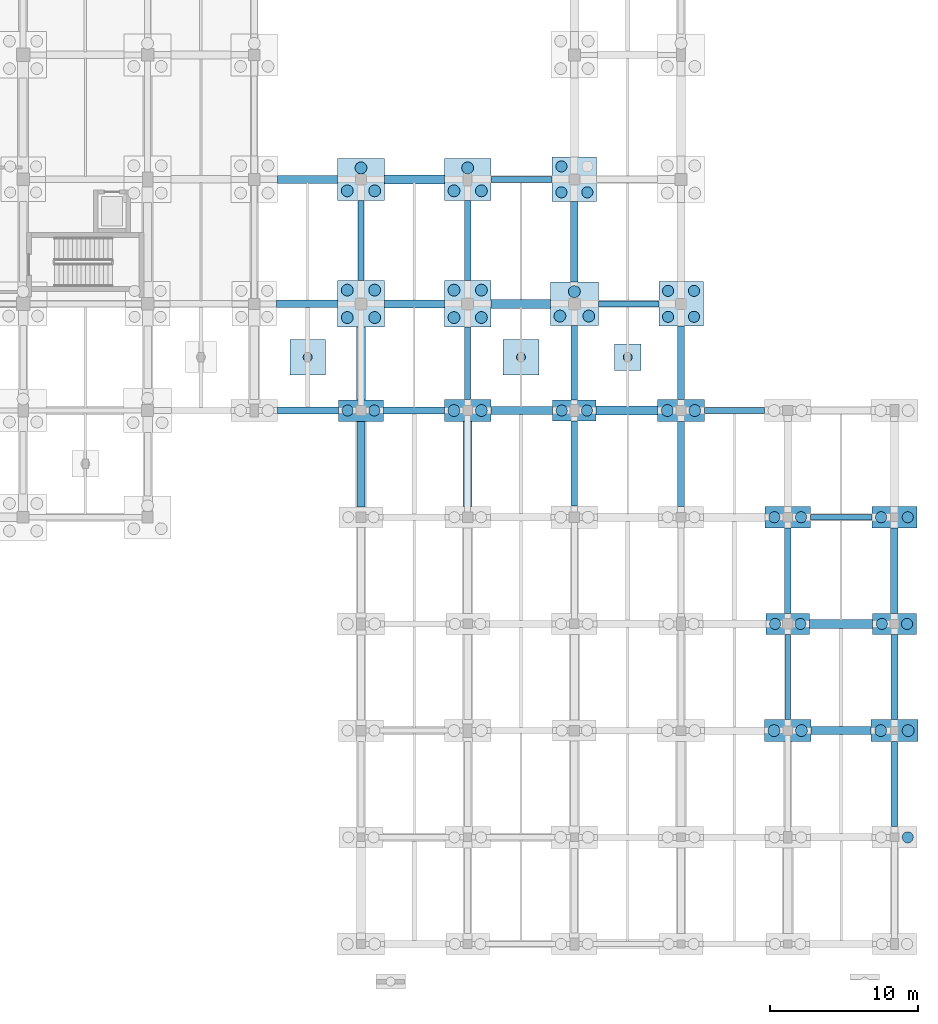
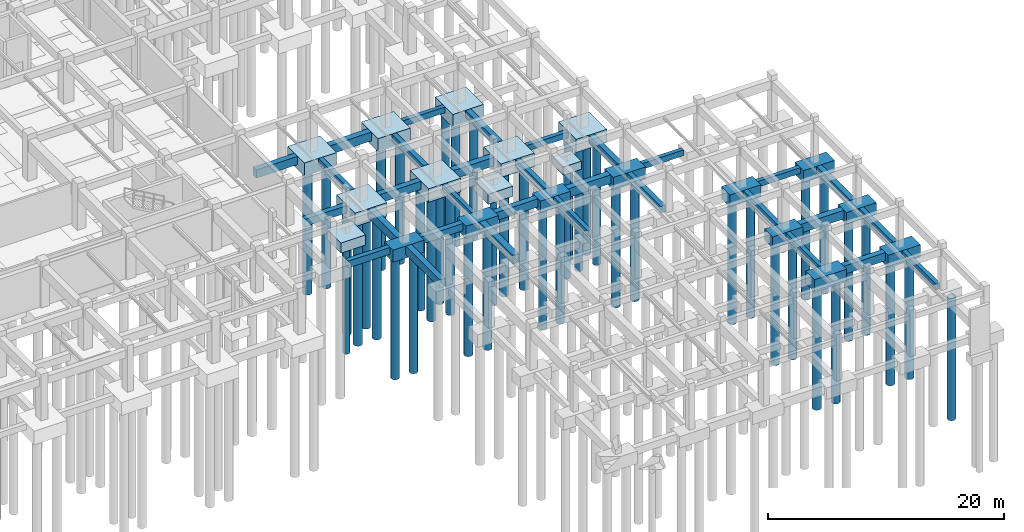
# One storey, part 13 of 44: 51 footings, 48 piles.
"""IFC4 building model written with IfcOpenShell, lengths in metres."""

from ifc_helpers import new_model, si_unit, direction, frame, origin, origin_2d, place, context, subcontext, project, spatial, rectangle, circle, extrude, material, material_profile, profile_set, type_object, element, save


model = new_model("IFC4")

# Units and contexts
model_context = context("Model", 3, precision=1e-05, world=origin(), true_north=direction((0.0, 1.0)))
body_context = subcontext(model_context, "Body", "Model", "MODEL_VIEW")
ifc_project = project(units=[si_unit("LENGTHUNIT", "METRE"), si_unit("AREAUNIT", "SQUARE_METRE"), si_unit("VOLUMEUNIT", "CUBIC_METRE"), si_unit("PLANEANGLEUNIT", "RADIAN"), si_unit("MASSUNIT", "GRAM", prefix="KILO")], contexts=[model_context])

# Site, building, storey
site_placement = place(None, origin())
site = spatial("IfcSite", under=ifc_project, at=site_placement, CompositionType="ELEMENT")
building_placement = place(site_placement, origin())
building = spatial("IfcBuilding", under=site, at=building_placement, Name="Korsvaeld Concert Hall", CompositionType="ELEMENT")
storey_placement = place(building_placement, frame((0.0, 0.0, -4.800048828125)))
storey = spatial("IfcBuildingStorey", under=building, at=storey_placement, Name="B1", CompositionType="ELEMENT", Elevation=-4.800048828125)

# Footings
ifc_material = material(Name="Concrete C35/45", Category="concrete")
ifc_material_profile_1 = material_profile(ifc_material, rectangle(XDim=0.39990234375, YDim=0.60009765625, at=origin_2d()), Name="GTB 400x600")
ifc_profile_set_1 = profile_set([ifc_material_profile_1], Name="Concrete C35/45")
footing_type_1 = type_object("IfcFootingType", Name="GTB-400x600", PredefinedType="FOOTING_BEAM", material=ifc_profile_set_1)
footing_1_placement = place(storey_placement, frame((162.324951171875, 28.800048828125, -0.300048828125), z_axis=(1.0, 0.0, 0.0), x_axis=(0.0, 1.0, 0.0)))
element("IfcFooting", 1, at=footing_1_placement, inside=storey, type_object=footing_type_1, Name="Ground tie beam 22-23/E", PredefinedType="FOOTING_BEAM", context=body_context, shape_type="SweptSolid", body=[
    extrude(rectangle(XDim=0.39990234375, YDim=0.60009765625, at=origin_2d()), origin(), (0.0, 0.0, 1.0), 4.150146484375),
])
footing_2_placement = place(storey_placement, frame((155.175048828125, 36.0, -0.300048828125), z_axis=(1.0, 0.0, 0.0), x_axis=(0.0, 1.0, 0.0)))
element("IfcFooting", 2, at=footing_2_placement, inside=storey, type_object=footing_type_1, Name="Ground tie beam 21-22/F", PredefinedType="FOOTING_BEAM", context=body_context, shape_type="SweptSolid", body=[
    extrude(rectangle(XDim=0.39990234375, YDim=0.60009765625, at=origin_2d()), origin(), (0.0, 0.0, 1.0), 4.050048828125),
])
footing_3_placement = place(storey_placement, frame((148.02490234375, 43.199951171875, -0.300048828125), z_axis=(1.0, 0.0, 0.0), x_axis=(0.0, 1.0, 0.0)))
element("IfcFooting", 3, at=footing_3_placement, inside=storey, type_object=footing_type_1, Name="Ground tie beam 20-21/G", PredefinedType="FOOTING_BEAM", context=body_context, shape_type="SweptSolid", body=[
    extrude(rectangle(XDim=0.39990234375, YDim=0.60009765625, at=origin_2d()), origin(), (0.0, 0.0, 1.0), 4.0751953125),
])
footing_4_placement = place(storey_placement, frame((140.77490234375, 51.60009765625, -0.300048828125), z_axis=(1.0, 0.0, 0.0), x_axis=(0.0, 1.0, 0.0)))
element("IfcFooting", 4, at=footing_4_placement, inside=storey, type_object=footing_type_1, Name="Ground tie beam 19-20/H", PredefinedType="FOOTING_BEAM", context=body_context, shape_type="SweptSolid", body=[
    extrude(rectangle(XDim=0.39990234375, YDim=0.60009765625, at=origin_2d()), origin(), (0.0, 0.0, 1.0), 4.125),
])
footing_5_placement = place(storey_placement, frame((132.0, 44.77490234375, -0.300048828125), z_axis=(0.0, 1.0, 0.0), x_axis=(-1.0, 0.0, 0.0)))
element("IfcFooting", 5, at=footing_5_placement, inside=storey, type_object=footing_type_1, Name="Ground tie beam 18/G-H", PredefinedType="FOOTING_BEAM", context=body_context, shape_type="SweptSolid", body=[
    extrude(rectangle(XDim=0.39990234375, YDim=0.60009765625, at=origin_2d()), origin(), (0.0, 0.0, 1.0), 5.400146484375),
])
footing_6_placement = place(storey_placement, frame((139.199951171875, 36.75, -0.300048828125), z_axis=(0.0, 1.0, 0.0), x_axis=(-1.0, 0.0, 0.0)))
element("IfcFooting", 6, at=footing_6_placement, inside=storey, type_object=footing_type_1, Name="Ground tie beam 19/F-G", PredefinedType="FOOTING_BEAM", context=body_context, shape_type="SweptSolid", body=[
    extrude(rectangle(XDim=0.39990234375, YDim=0.60009765625, at=origin_2d()), origin(), (0.0, 0.0, 1.0), 4.875),
])
for number, where, z_axis, x_axis, name in (
    (7, (146.39990234375, 29.550048828125, -0.300048828125), (0.0, 1.0, 0.0), (-1.0, 0.0, 0.0), "Ground tie beam 20/E-F"),
    (8, (160.800048828125, 15.14990234375, -0.300048828125), (0.0, 1.0, 0.0), (-1.0, 0.0, 0.0), "Ground tie beam 22/C-D"),
):
    element("IfcFooting", number, at=place(storey_placement, frame(where, z_axis=z_axis, x_axis=x_axis)), inside=storey, type_object=footing_type_1, Name=name, PredefinedType="FOOTING_BEAM", context=body_context, shape_type="SweptSolid", body=[
        extrude(rectangle(XDim=0.39990234375, YDim=0.60009765625, at=origin_2d()), origin(), (0.0, 0.0, 1.0), 5.75),
    ])
footing_7_placement = place(storey_placement, frame((168.0, 7.925048828125, -0.300048828125), z_axis=(0.0, 1.0, 0.0), x_axis=(-1.0, 0.0, 0.0)))
element("IfcFooting", 9, at=footing_7_placement, inside=storey, type_object=footing_type_1, Name="Ground tie beam 23/B-C", PredefinedType="FOOTING_BEAM", context=body_context, shape_type="SweptSolid", body=[
    extrude(rectangle(XDim=0.39990234375, YDim=0.60009765625, at=origin_2d()), origin(), (0.0, 0.0, 1.0), 5.724853515625),
])
ifc_material_profile_2 = material_profile(ifc_material, rectangle(XDim=0.449951171875, YDim=0.699951171875, at=origin_2d()), Name="GTB 450x700")
ifc_profile_set_2 = profile_set([ifc_material_profile_2], Name="Concrete C35/45")
footing_type_2 = type_object("IfcFootingType", Name="GTB-450x700", PredefinedType="FOOTING_BEAM", material=ifc_profile_set_2)
footing_8_placement = place(storey_placement, frame((126.375, 36.0, -0.349853515625), z_axis=(1.0, 0.0, 0.0), x_axis=(0.0, 1.0, 0.0)))
element("IfcFooting", 10, at=footing_8_placement, inside=storey, type_object=footing_type_2, Name="Ground tie beam 17-18/F", PredefinedType="FOOTING_BEAM", context=body_context, shape_type="SweptSolid", body=[
    extrude(rectangle(XDim=0.449951171875, YDim=0.699951171875, at=origin_2d()), origin(), (0.0, 0.0, 1.0), 4.10009765625),
])
footing_9_placement = place(storey_placement, frame((139.199951171875, 44.77490234375, -0.349853515625), z_axis=(0.0, 1.0, 0.0), x_axis=(-1.0, 0.0, 0.0)))
element("IfcFooting", 11, at=footing_9_placement, inside=storey, type_object=footing_type_2, Name="Ground tie beam 19/G-H", PredefinedType="FOOTING_BEAM", context=body_context, shape_type="SweptSolid", body=[
    extrude(rectangle(XDim=0.449951171875, YDim=0.699951171875, at=origin_2d()), origin(), (0.0, 0.0, 1.0), 5.400146484375),
])
footing_10_placement = place(storey_placement, frame((146.39990234375, 36.699951171875, -0.349853515625), z_axis=(0.0, 1.0, 0.0), x_axis=(-1.0, 0.0, 0.0)))
element("IfcFooting", 12, at=footing_10_placement, inside=storey, type_object=footing_type_2, Name="Ground tie beam 20/F-G", PredefinedType="FOOTING_BEAM", context=body_context, shape_type="SweptSolid", body=[
    extrude(rectangle(XDim=0.449951171875, YDim=0.699951171875, at=origin_2d()), origin(), (0.0, 0.0, 1.0), 5.025146484375),
])
footing_11_placement = place(storey_placement, frame((153.60009765625, 29.52490234375, -0.349853515625), z_axis=(0.0, 1.0, 0.0), x_axis=(-1.0, 0.0, 0.0)))
element("IfcFooting", 13, at=footing_11_placement, inside=storey, type_object=footing_type_2, Name="Ground tie beam 21/E-F", PredefinedType="FOOTING_BEAM", context=body_context, shape_type="SweptSolid", body=[
    extrude(rectangle(XDim=0.449951171875, YDim=0.699951171875, at=origin_2d()), origin(), (0.0, 0.0, 1.0), 5.72509765625),
])
footing_12_placement = place(storey_placement, frame((160.800048828125, 22.300048828125, -0.349853515625), z_axis=(0.0, 1.0, 0.0), x_axis=(-1.0, 0.0, 0.0)))
element("IfcFooting", 14, at=footing_12_placement, inside=storey, type_object=footing_type_2, Name="Ground tie beam 22/D-E", PredefinedType="FOOTING_BEAM", context=body_context, shape_type="SweptSolid", body=[
    extrude(rectangle(XDim=0.449951171875, YDim=0.699951171875, at=origin_2d()), origin(), (0.0, 0.0, 1.0), 5.77490234375),
])
footing_13_placement = place(storey_placement, frame((168.0, 15.14990234375, -0.349853515625), z_axis=(0.0, 1.0, 0.0), x_axis=(-1.0, 0.0, 0.0)))
element("IfcFooting", 15, at=footing_13_placement, inside=storey, type_object=footing_type_2, Name="Ground tie beam 23/C-D", PredefinedType="FOOTING_BEAM", context=body_context, shape_type="SweptSolid", body=[
    extrude(rectangle(XDim=0.449951171875, YDim=0.699951171875, at=origin_2d()), origin(), (0.0, 0.0, 1.0), 5.75),
])
ifc_material_profile_3 = material_profile(ifc_material, rectangle(XDim=0.5, YDim=0.75, at=origin_2d()), Name="GTB 500x750")
ifc_profile_set_3 = profile_set([ifc_material_profile_3], Name="Concrete C35/45")
footing_type_3 = type_object("IfcFootingType", Name="GTB-500x750", PredefinedType="FOOTING_BEAM", material=ifc_profile_set_3)
footing_14_placement = place(storey_placement, frame((133.52490234375, 36.0, -0.375), z_axis=(1.0, 0.0, 0.0), x_axis=(0.0, 1.0, 0.0)))
element("IfcFooting", 16, at=footing_14_placement, inside=storey, type_object=footing_type_3, Name="Ground tie beam 18-19/F", PredefinedType="FOOTING_BEAM", context=body_context, shape_type="SweptSolid", body=[
    extrude(rectangle(XDim=0.5, YDim=0.75, at=origin_2d()), origin(), (0.0, 0.0, 1.0), 4.10009765625),
])
footing_15_placement = place(storey_placement, frame((126.300048828125, 43.199951171875, -0.375), z_axis=(1.0, 0.0, 0.0), x_axis=(0.0, 1.0, 0.0)))
element("IfcFooting", 17, at=footing_15_placement, inside=storey, type_object=footing_type_3, Name="Ground tie beam 17-18/G", PredefinedType="FOOTING_BEAM", context=body_context, shape_type="SweptSolid", body=[
    extrude(rectangle(XDim=0.5, YDim=0.75, at=origin_2d()), origin(), (0.0, 0.0, 1.0), 4.125),
])
footing_16_placement = place(storey_placement, frame((146.39990234375, 44.675048828125, -0.375), z_axis=(0.0, 1.0, 0.0), x_axis=(-1.0, 0.0, 0.0)))
element("IfcFooting", 18, at=footing_16_placement, inside=storey, type_object=footing_type_3, Name="Ground tie beam 20/G-H", PredefinedType="FOOTING_BEAM", context=body_context, shape_type="SweptSolid", body=[
    extrude(rectangle(XDim=0.5, YDim=0.75, at=origin_2d()), origin(), (0.0, 0.0, 1.0), 5.425048828125),
])
footing_17_placement = place(storey_placement, frame((153.60009765625, 36.75, -0.375), z_axis=(0.0, 1.0, 0.0), x_axis=(-1.0, 0.0, 0.0)))
element("IfcFooting", 19, at=footing_17_placement, inside=storey, type_object=footing_type_3, Name="Ground tie beam 21/F-G", PredefinedType="FOOTING_BEAM", context=body_context, shape_type="SweptSolid", body=[
    extrude(rectangle(XDim=0.5, YDim=0.75, at=origin_2d()), origin(), (0.0, 0.0, 1.0), 4.949951171875),
])
footing_18_placement = place(storey_placement, frame((168.0, 22.300048828125, -0.375), z_axis=(0.0, 1.0, 0.0), x_axis=(-1.0, 0.0, 0.0)))
element("IfcFooting", 20, at=footing_18_placement, inside=storey, type_object=footing_type_3, Name="Ground tie beam 23/D-E", PredefinedType="FOOTING_BEAM", context=body_context, shape_type="SweptSolid", body=[
    extrude(rectangle(XDim=0.5, YDim=0.75, at=origin_2d()), origin(), (0.0, 0.0, 1.0), 5.77490234375),
])
ifc_material_profile_4 = material_profile(ifc_material, rectangle(XDim=0.550048828125, YDim=0.85009765625, at=origin_2d()), Name="GTB 550x850")
ifc_profile_set_4 = profile_set([ifc_material_profile_4], Name="Concrete C35/45")
footing_type_4 = type_object("IfcFootingType", Name="GTB-550x850", PredefinedType="FOOTING_BEAM", material=ifc_profile_set_4)
footing_19_placement = place(storey_placement, frame((162.375, 14.39990234375, -0.425048828125), z_axis=(1.0, 0.0, 0.0), x_axis=(0.0, 1.0, 0.0)))
element("IfcFooting", 21, at=footing_19_placement, inside=storey, type_object=footing_type_4, Name="Ground tie beam 22-23/C", PredefinedType="FOOTING_BEAM", context=body_context, shape_type="SweptSolid", body=[
    extrude(rectangle(XDim=0.550048828125, YDim=0.85009765625, at=origin_2d()), origin(), (0.0, 0.0, 1.0), 4.050048828125),
])
footing_20_placement = place(storey_placement, frame((140.77490234375, 36.0, -0.425048828125), z_axis=(1.0, 0.0, 0.0), x_axis=(0.0, 1.0, 0.0)))
element("IfcFooting", 22, at=footing_20_placement, inside=storey, type_object=footing_type_4, Name="Ground tie beam 19-20/F", PredefinedType="FOOTING_BEAM", context=body_context, shape_type="SweptSolid", body=[
    extrude(rectangle(XDim=0.550048828125, YDim=0.85009765625, at=origin_2d()), origin(), (0.0, 0.0, 1.0), 4.150146484375),
])
for number, where, z_axis, x_axis, name in (
    (23, (133.574951171875, 43.199951171875, -0.425048828125), (1.0, 0.0, 0.0), (0.0, 1.0, 0.0), "Ground tie beam 18-19/G"),
    (24, (126.375, 51.60009765625, -0.425048828125), (1.0, 0.0, 0.0), (0.0, 1.0, 0.0), "Ground tie beam 17-18/H"),
):
    element("IfcFooting", number, at=place(storey_placement, frame(where, z_axis=z_axis, x_axis=x_axis)), inside=storey, type_object=footing_type_4, Name=name, PredefinedType="FOOTING_BEAM", context=body_context, shape_type="SweptSolid", body=[
        extrude(rectangle(XDim=0.550048828125, YDim=0.85009765625, at=origin_2d()), origin(), (0.0, 0.0, 1.0), 4.050048828125),
    ])
footing_21_placement = place(storey_placement, frame((132.0, 29.5, -0.425048828125), z_axis=(0.0, 1.0, 0.0), x_axis=(-1.0, 0.0, 0.0)))
element("IfcFooting", 25, at=footing_21_placement, inside=storey, type_object=footing_type_4, Name="Ground tie beam 18/E-F", PredefinedType="FOOTING_BEAM", context=body_context, shape_type="SweptSolid", body=[
    extrude(rectangle(XDim=0.550048828125, YDim=0.85009765625, at=origin_2d()), origin(), (0.0, 0.0, 1.0), 5.77490234375),
])
ifc_material_profile_5 = material_profile(ifc_material, rectangle(XDim=0.60009765625, YDim=0.89990234375, at=origin_2d()), Name="GTB 600x900")
ifc_profile_set_5 = profile_set([ifc_material_profile_5], Name="Concrete C35/45")
footing_type_5 = type_object("IfcFootingType", Name="GTB-600x900", PredefinedType="FOOTING_BEAM", material=ifc_profile_set_5)
footing_22_placement = place(storey_placement, frame((162.27490234375, 21.60009765625, -0.449951171875), z_axis=(1.0, 0.0, 0.0), x_axis=(0.0, 1.0, 0.0)))
element("IfcFooting", 26, at=footing_22_placement, inside=storey, type_object=footing_type_5, Name="Ground tie beam 22-23/D", PredefinedType="FOOTING_BEAM", context=body_context, shape_type="SweptSolid", body=[
    extrude(rectangle(XDim=0.60009765625, YDim=0.89990234375, at=origin_2d()), origin(), (0.0, 0.0, 1.0), 4.25),
])
footing_23_placement = place(storey_placement, frame((147.875, 36.0, -0.449951171875), z_axis=(1.0, 0.0, 0.0), x_axis=(0.0, 1.0, 0.0)))
element("IfcFooting", 27, at=footing_23_placement, inside=storey, type_object=footing_type_5, Name="Ground tie beam 20-21/F", PredefinedType="FOOTING_BEAM", context=body_context, shape_type="SweptSolid", body=[
    extrude(rectangle(XDim=0.60009765625, YDim=0.89990234375, at=origin_2d()), origin(), (0.0, 0.0, 1.0), 4.14990234375),
])
footing_24_placement = place(storey_placement, frame((140.77490234375, 43.199951171875, -0.449951171875), z_axis=(1.0, 0.0, 0.0), x_axis=(0.0, 1.0, 0.0)))
element("IfcFooting", 28, at=footing_24_placement, inside=storey, type_object=footing_type_5, Name="Ground tie beam 19-20/G", PredefinedType="FOOTING_BEAM", context=body_context, shape_type="SweptSolid", body=[
    extrude(rectangle(XDim=0.60009765625, YDim=0.89990234375, at=origin_2d()), origin(), (0.0, 0.0, 1.0), 4.0),
])
footing_25_placement = place(storey_placement, frame((133.574951171875, 51.60009765625, -0.449951171875), z_axis=(1.0, 0.0, 0.0), x_axis=(0.0, 1.0, 0.0)))
element("IfcFooting", 29, at=footing_25_placement, inside=storey, type_object=footing_type_5, Name="Ground tie beam 18-19/H", PredefinedType="FOOTING_BEAM", context=body_context, shape_type="SweptSolid", body=[
    extrude(rectangle(XDim=0.60009765625, YDim=0.89990234375, at=origin_2d()), origin(), (0.0, 0.0, 1.0), 4.050048828125),
])
footing_26_placement = place(storey_placement, frame((132.0, 36.72509765625, -0.449951171875), z_axis=(0.0, 1.0, 0.0), x_axis=(-1.0, 0.0, 0.0)))
element("IfcFooting", 30, at=footing_26_placement, inside=storey, type_object=footing_type_5, Name="Ground tie beam 18/F-G", PredefinedType="FOOTING_BEAM", context=body_context, shape_type="SweptSolid", body=[
    extrude(rectangle(XDim=0.60009765625, YDim=0.89990234375, at=origin_2d()), origin(), (0.0, 0.0, 1.0), 4.89990234375),
])
footing_27_placement = place(storey_placement, frame((139.199951171875, 29.52490234375, -0.449951171875), z_axis=(0.0, 1.0, 0.0), x_axis=(-1.0, 0.0, 0.0)))
element("IfcFooting", 31, at=footing_27_placement, inside=storey, type_object=footing_type_5, Name="Ground tie beam 19/E-F", PredefinedType="FOOTING_BEAM", context=body_context, shape_type="SweptSolid", body=[
    extrude(rectangle(XDim=0.60009765625, YDim=0.89990234375, at=origin_2d()), origin(), (0.0, 0.0, 1.0), 5.72509765625),
])
footing_type_6 = type_object("IfcFootingType", Name="PC-2P-240x130x120", PredefinedType="PILE_CAP", material=ifc_material)
for number, where, z_axis, x_axis, name in (
    (32, (146.39990234375, 36.0, -1.19970703125), (0.0, 0.0, 1.0), (1.0, 0.0, 0.0), "Pile cap 20/F"),
    (33, (160.800048828125, 21.60009765625, -1.19970703125), (0.0, 0.0, 1.0), (1.0, 0.0, 0.0), "Pile cap 22/D"),
    (34, (168.0, 21.60009765625, -1.19970703125), (0.0, 0.0, 1.0), (1.0, 0.0, 0.0), "Pile cap 23/D"),
):
    element("IfcFooting", number, at=place(storey_placement, frame(where, z_axis=z_axis, x_axis=x_axis)), inside=storey, type_object=footing_type_6, Name=name, PredefinedType="PILE_CAP", context=body_context, shape_type="SweptSolid", body=[
        extrude(rectangle(XDim=2.949951171875, YDim=1.39990234375, at=origin_2d()), origin(), (0.0, 0.0, 1.0), 1.199951171875),
    ])
footing_type_7 = type_object("IfcFootingType", Name="PC-2P-260x140x125", PredefinedType="PILE_CAP", material=ifc_material)
for number, where, z_axis, x_axis, name in (
    (35, (132.0, 36.0, -1.25), (0.0, 0.0, 1.0), (1.0, 0.0, 0.0), "Pile cap 18/F"),
    (36, (160.800048828125, 28.800048828125, -1.25), (0.0, 0.0, 1.0), (1.0, 0.0, 0.0), "Pile cap 22/E"),
    (37, (168.0, 28.800048828125, -1.25), (0.0, 0.0, 1.0), (1.0, 0.0, 0.0), "Pile cap 23/E"),
):
    element("IfcFooting", number, at=place(storey_placement, frame(where, z_axis=z_axis, x_axis=x_axis)), inside=storey, type_object=footing_type_7, Name=name, PredefinedType="PILE_CAP", context=body_context, shape_type="SweptSolid", body=[
        extrude(rectangle(XDim=3.050048828125, YDim=1.449951171875, at=origin_2d()), origin(), (0.0, 0.0, 1.0), 1.25),
    ])
footing_type_8 = type_object("IfcFootingType", Name="PC-2P-280x150x130", PredefinedType="PILE_CAP", material=ifc_material)
for number, where, z_axis, x_axis, name in (
    (38, (139.199951171875, 36.0, -1.2998046875), (0.0, 0.0, 1.0), (1.0, 0.0, 0.0), "Pile cap 19/F"),
    (39, (153.60009765625, 36.0, -1.2998046875), (0.0, 0.0, 1.0), (1.0, 0.0, 0.0), "Pile cap 21/F"),
    (40, (160.800048828125, 14.39990234375, -1.2998046875), (0.0, 0.0, 1.0), (1.0, 0.0, 0.0), "Pile cap 22/C"),
    (41, (168.0, 14.39990234375, -1.2998046875), (0.0, 0.0, 1.0), (1.0, 0.0, 0.0), "Pile cap 23/C"),
):
    element("IfcFooting", number, at=place(storey_placement, frame(where, z_axis=z_axis, x_axis=x_axis)), inside=storey, type_object=footing_type_8, Name=name, PredefinedType="PILE_CAP", context=body_context, shape_type="SweptSolid", body=[
        extrude(rectangle(XDim=3.14990234375, YDim=1.5, at=origin_2d()), origin(), (0.0, 0.0, 1.0), 1.300048828125),
    ])
footing_type_9 = type_object("IfcFootingType", Name="PC-3P-290x260x135", PredefinedType="PILE_CAP", material=ifc_material)
for number, where, z_axis, x_axis, name in (
    (42, (132.0, 51.60009765625, -1.35009765625), (0.0, 0.0, 1.0), (1.0, 0.0, 0.0), "Pile cap 18/H"),
    (43, (139.199951171875, 51.60009765625, -1.35009765625), (0.0, 0.0, 1.0), (1.0, 0.0, 0.0), "Pile cap 19/H"),
):
    element("IfcFooting", number, at=place(storey_placement, frame(where, z_axis=z_axis, x_axis=x_axis)), inside=storey, type_object=footing_type_9, Name=name, PredefinedType="PILE_CAP", context=body_context, shape_type="SweptSolid", body=[
        extrude(rectangle(XDim=3.14990234375, YDim=2.85009765625, at=origin_2d()), origin(), (0.0, 0.0, 1.0), 1.35009765625),
    ])
footing_type_10 = type_object("IfcFootingType", Name="PC-3P-310x280x140", PredefinedType="PILE_CAP", material=ifc_material)
footing_28_placement = place(storey_placement, frame((146.39990234375, 43.199951171875, -1.39990234375), z_axis=(0.0, 0.0, 1.0), x_axis=(1.0, 0.0, 0.0)))
element("IfcFooting", 44, at=footing_28_placement, inside=storey, type_object=footing_type_10, Name="Pile cap 20/G", PredefinedType="PILE_CAP", context=body_context, shape_type="SweptSolid", body=[
    extrude(rectangle(XDim=3.25, YDim=2.949951171875, at=origin_2d()), origin(), (0.0, 0.0, 1.0), 1.39990234375),
])
footing_type_11 = type_object("IfcFootingType", Name="PC-4P-280x280x135", PredefinedType="PILE_CAP", material=ifc_material)
for number, where, z_axis, x_axis, name in (
    (45, (146.39990234375, 51.60009765625, -1.35009765625), (0.0, 0.0, 1.0), (1.0, 0.0, 0.0), "Pile cap 20/H"),
    (46, (153.60009765625, 43.199951171875, -1.35009765625), (0.0, 0.0, 1.0), (1.0, 0.0, 0.0), "Pile cap 21/G"),
):
    element("IfcFooting", number, at=place(storey_placement, frame(where, z_axis=z_axis, x_axis=x_axis)), inside=storey, type_object=footing_type_11, Name=name, PredefinedType="PILE_CAP", context=body_context, shape_type="SweptSolid", body=[
        extrude(rectangle(XDim=3.0, YDim=3.0, at=origin_2d()), origin(), (0.0, 0.0, 1.0), 1.35009765625),
    ])
footing_type_12 = type_object("IfcFootingType", Name="PC-4P-300x300x140", PredefinedType="PILE_CAP", material=ifc_material)
for number, where, z_axis, x_axis, name in (
    (47, (132.0, 43.199951171875, -1.39990234375), (0.0, 0.0, 1.0), (1.0, 0.0, 0.0), "Pile cap 18/G"),
    (48, (139.199951171875, 43.199951171875, -1.39990234375), (0.0, 0.0, 1.0), (1.0, 0.0, 0.0), "Pile cap 19/G"),
):
    element("IfcFooting", number, at=place(storey_placement, frame(where, z_axis=z_axis, x_axis=x_axis)), inside=storey, type_object=footing_type_12, Name=name, PredefinedType="PILE_CAP", context=body_context, shape_type="SweptSolid", body=[
        extrude(rectangle(XDim=3.14990234375, YDim=3.14990234375, at=origin_2d()), origin(), (0.0, 0.0, 1.0), 1.39990234375),
    ])
footing_type_13 = type_object("IfcFootingType", Name="PF-PAD-180x180x85", PredefinedType="PAD_FOOTING", material=ifc_material)
footing_29_placement = place(storey_placement, frame((150.0, 39.60009765625, -0.85009765625), z_axis=(0.0, 0.0, 1.0), x_axis=(1.0, 0.0, 0.0)))
element("IfcFooting", 49, at=footing_29_placement, inside=storey, type_object=footing_type_13, Name="Pilaster pad footing PLF-10", PredefinedType="PAD_FOOTING", context=body_context, shape_type="SweptSolid", body=[
    extrude(rectangle(XDim=1.800048828125, YDim=1.800048828125, at=origin_2d()), origin(), (0.0, 0.0, 1.0), 0.85009765625),
])
footing_type_14 = type_object("IfcFootingType", Name="PF-PAD-240x240x105", PredefinedType="PAD_FOOTING", material=ifc_material)
for number, where, z_axis, x_axis, name in (
    (50, (128.39990234375, 39.60009765625, -1.0498046875), (0.0, 0.0, 1.0), (1.0, 0.0, 0.0), "Pilaster pad footing PLF-06"),
    (51, (142.800048828125, 39.60009765625, -1.0498046875), (0.0, 0.0, 1.0), (1.0, 0.0, 0.0), "Pilaster pad footing PLF-09"),
):
    element("IfcFooting", number, at=place(storey_placement, frame(where, z_axis=z_axis, x_axis=x_axis)), inside=storey, type_object=footing_type_14, Name=name, PredefinedType="PAD_FOOTING", context=body_context, shape_type="SweptSolid", body=[
        extrude(rectangle(XDim=2.39990234375, YDim=2.39990234375, at=origin_2d()), origin(), (0.0, 0.0, 1.0), 1.050048828125),
    ])

# Piles
ifc_material_profile_6 = material_profile(ifc_material, circle(Radius=0.300048828125, at=origin_2d()), Name="BORED PILE D600")
ifc_profile_set_6 = profile_set([ifc_material_profile_6], Name="Concrete C35/45")
pile_type_1 = type_object("IfcPileType", Name="PILE-D600", PredefinedType="BORED", material=ifc_profile_set_6)
for number, where, z_axis, x_axis, name in (
    (52, (128.39990234375, 39.60009765625, -0.949951171875), (0.0, 0.0, -1.0), (1.0, 0.0, 0.0), "Pilaster bored pile PLP-06"),
    (53, (142.800048828125, 39.60009765625, -0.949951171875), (0.0, 0.0, -1.0), (1.0, 0.0, 0.0), "Pilaster bored pile PLP-09"),
    (54, (150.0, 39.60009765625, -0.75), (0.0, 0.0, -1.0), (1.0, 0.0, 0.0), "Pilaster bored pile PLP-10"),
):
    element("IfcPile", number, at=place(storey_placement, frame(where, z_axis=z_axis, x_axis=x_axis)), inside=storey, type_object=pile_type_1, Name=name, PredefinedType="BORED", context=body_context, shape_type="SweptSolid", body=[
        extrude(circle(Radius=0.300048828125, at=origin_2d()), origin(), (0.0, 0.0, 1.0), 11.5),
    ])
ifc_material_profile_7 = material_profile(ifc_material, circle(Radius=0.375, at=origin_2d()), Name="BORED PILE D750")
ifc_profile_set_7 = profile_set([ifc_material_profile_7], Name="Concrete C35/45")
pile_type_2 = type_object("IfcPileType", Name="PILE-D750", PredefinedType="BORED", material=ifc_profile_set_7)
for number, where, z_axis, x_axis, name in (
    (55, (131.10009765625, 36.0, -1.14990234375), (0.0, 0.0, -1.0), (1.0, 0.0, 0.0), "Bored pile 18/F-1"),
    (56, (132.89990234375, 36.0, -1.14990234375), (0.0, 0.0, -1.0), (1.0, 0.0, 0.0), "Bored pile 18/F-2"),
):
    element("IfcPile", number, at=place(storey_placement, frame(where, z_axis=z_axis, x_axis=x_axis)), inside=storey, type_object=pile_type_2, Name=name, PredefinedType="BORED", context=body_context, shape_type="SweptSolid", body=[
        extrude(circle(Radius=0.375, at=origin_2d()), origin(), (0.0, 0.0, 1.0), 12.64990234375),
    ])
for number, where, z_axis, x_axis, name in (
    (57, (145.550048828125, 36.0, -1.099853515625), (0.0, 0.0, -1.0), (1.0, 0.0, 0.0), "Bored pile 20/F-1"),
    (58, (147.25, 36.0, -1.099853515625), (0.0, 0.0, -1.0), (1.0, 0.0, 0.0), "Bored pile 20/F-2"),
):
    element("IfcPile", number, at=place(storey_placement, frame(where, z_axis=z_axis, x_axis=x_axis)), inside=storey, type_object=pile_type_2, Name=name, PredefinedType="BORED", context=body_context, shape_type="SweptSolid", body=[
        extrude(circle(Radius=0.375, at=origin_2d()), origin(), (0.0, 0.0, 1.0), 12.60009765625),
    ])
for number, where, z_axis, x_axis, name in (
    (59, (145.52490234375, 50.72509765625, -1.25), (0.0, 0.0, -1.0), (1.0, 0.0, 0.0), "Bored pile 20/H-1"),
    (60, (147.27490234375, 50.72509765625, -1.25), (0.0, 0.0, -1.0), (1.0, 0.0, 0.0), "Bored pile 20/H-2"),
    (61, (145.52490234375, 52.47509765625, -1.25), (0.0, 0.0, -1.0), (1.0, 0.0, 0.0), "Bored pile 20/H-3"),
    (62, (152.72509765625, 42.324951171875, -1.25), (0.0, 0.0, -1.0), (1.0, 0.0, 0.0), "Bored pile 21/G-1"),
    (63, (154.47509765625, 42.324951171875, -1.25), (0.0, 0.0, -1.0), (1.0, 0.0, 0.0), "Bored pile 21/G-2"),
    (64, (152.72509765625, 44.074951171875, -1.25), (0.0, 0.0, -1.0), (1.0, 0.0, 0.0), "Bored pile 21/G-3"),
    (65, (154.47509765625, 44.074951171875, -1.25), (0.0, 0.0, -1.0), (1.0, 0.0, 0.0), "Bored pile 21/G-4"),
):
    element("IfcPile", number, at=place(storey_placement, frame(where, z_axis=z_axis, x_axis=x_axis)), inside=storey, type_object=pile_type_2, Name=name, PredefinedType="BORED", context=body_context, shape_type="SweptSolid", body=[
        extrude(circle(Radius=0.375, at=origin_2d()), origin(), (0.0, 0.0, 1.0), 12.75),
    ])
for number, where, z_axis, x_axis, name in (
    (66, (159.949951171875, 21.60009765625, -1.099853515625), (0.0, 0.0, -1.0), (1.0, 0.0, 0.0), "Bored pile 22/D-1"),
    (67, (161.64990234375, 21.60009765625, -1.099853515625), (0.0, 0.0, -1.0), (1.0, 0.0, 0.0), "Bored pile 22/D-2"),
):
    element("IfcPile", number, at=place(storey_placement, frame(where, z_axis=z_axis, x_axis=x_axis)), inside=storey, type_object=pile_type_2, Name=name, PredefinedType="BORED", context=body_context, shape_type="SweptSolid", body=[
        extrude(circle(Radius=0.375, at=origin_2d()), origin(), (0.0, 0.0, 1.0), 12.60009765625),
    ])
for number, where, z_axis, x_axis, name in (
    (68, (159.89990234375, 28.800048828125, -1.14990234375), (0.0, 0.0, -1.0), (1.0, 0.0, 0.0), "Bored pile 22/E-1"),
    (69, (161.699951171875, 28.800048828125, -1.14990234375), (0.0, 0.0, -1.0), (1.0, 0.0, 0.0), "Bored pile 22/E-2"),
    (70, (168.89990234375, 7.199951171875, -1.14990234375), (0.0, 0.0, -1.0), (1.0, 0.0, 0.0), "Bored pile 23/B-2"),
):
    element("IfcPile", number, at=place(storey_placement, frame(where, z_axis=z_axis, x_axis=x_axis)), inside=storey, type_object=pile_type_2, Name=name, PredefinedType="BORED", context=body_context, shape_type="SweptSolid", body=[
        extrude(circle(Radius=0.375, at=origin_2d()), origin(), (0.0, 0.0, 1.0), 12.64990234375),
    ])
for number, where, z_axis, x_axis, name in (
    (71, (167.14990234375, 21.60009765625, -1.099853515625), (0.0, 0.0, -1.0), (1.0, 0.0, 0.0), "Bored pile 23/D-1"),
    (72, (168.85009765625, 21.60009765625, -1.099853515625), (0.0, 0.0, -1.0), (1.0, 0.0, 0.0), "Bored pile 23/D-2"),
):
    element("IfcPile", number, at=place(storey_placement, frame(where, z_axis=z_axis, x_axis=x_axis)), inside=storey, type_object=pile_type_2, Name=name, PredefinedType="BORED", context=body_context, shape_type="SweptSolid", body=[
        extrude(circle(Radius=0.375, at=origin_2d()), origin(), (0.0, 0.0, 1.0), 12.60009765625),
    ])
for number, where, z_axis, x_axis, name in (
    (73, (167.10009765625, 28.800048828125, -1.14990234375), (0.0, 0.0, -1.0), (1.0, 0.0, 0.0), "Bored pile 23/E-1"),
    (74, (168.89990234375, 28.800048828125, -1.14990234375), (0.0, 0.0, -1.0), (1.0, 0.0, 0.0), "Bored pile 23/E-2"),
):
    element("IfcPile", number, at=place(storey_placement, frame(where, z_axis=z_axis, x_axis=x_axis)), inside=storey, type_object=pile_type_2, Name=name, PredefinedType="BORED", context=body_context, shape_type="SweptSolid", body=[
        extrude(circle(Radius=0.375, at=origin_2d()), origin(), (0.0, 0.0, 1.0), 12.64990234375),
    ])
ifc_material_profile_8 = material_profile(ifc_material, circle(Radius=0.39990234375, at=origin_2d()), Name="BORED PILE D800")
ifc_profile_set_8 = profile_set([ifc_material_profile_8], Name="Concrete C35/45")
pile_type_3 = type_object("IfcPileType", Name="PILE-D800", PredefinedType="BORED", material=ifc_profile_set_8)
for number, where, z_axis, x_axis, name in (
    (75, (131.074951171875, 42.27490234375, -1.300048828125), (0.0, 0.0, -1.0), (1.0, 0.0, 0.0), "Bored pile 18/G-1"),
    (76, (132.925048828125, 42.27490234375, -1.300048828125), (0.0, 0.0, -1.0), (1.0, 0.0, 0.0), "Bored pile 18/G-2"),
    (77, (131.074951171875, 44.125, -1.300048828125), (0.0, 0.0, -1.0), (1.0, 0.0, 0.0), "Bored pile 18/G-3"),
    (78, (132.925048828125, 44.125, -1.300048828125), (0.0, 0.0, -1.0), (1.0, 0.0, 0.0), "Bored pile 18/G-4"),
):
    element("IfcPile", number, at=place(storey_placement, frame(where, z_axis=z_axis, x_axis=x_axis)), inside=storey, type_object=pile_type_3, Name=name, PredefinedType="BORED", context=body_context, shape_type="SweptSolid", body=[
        extrude(circle(Radius=0.39990234375, at=origin_2d()), origin(), (0.0, 0.0, 1.0), 12.800048828125),
    ])
for number, where, z_axis, x_axis, name in (
    (79, (131.074951171875, 50.824951171875, -1.25), (0.0, 0.0, -1.0), (1.0, 0.0, 0.0), "Bored pile 18/H-1"),
    (80, (132.925048828125, 50.824951171875, -1.25), (0.0, 0.0, -1.0), (1.0, 0.0, 0.0), "Bored pile 18/H-2"),
    (81, (132.0, 52.375, -1.25), (0.0, 0.0, -1.0), (1.0, 0.0, 0.0), "Bored pile 18/H-3"),
):
    element("IfcPile", number, at=place(storey_placement, frame(where, z_axis=z_axis, x_axis=x_axis)), inside=storey, type_object=pile_type_3, Name=name, PredefinedType="BORED", context=body_context, shape_type="SweptSolid", body=[
        extrude(circle(Radius=0.39990234375, at=origin_2d()), origin(), (0.0, 0.0, 1.0), 12.75),
    ])
for number, where, z_axis, x_axis, name in (
    (82, (138.27490234375, 36.0, -1.199951171875), (0.0, 0.0, -1.0), (1.0, 0.0, 0.0), "Bored pile 19/F-1"),
    (83, (140.125, 36.0, -1.199951171875), (0.0, 0.0, -1.0), (1.0, 0.0, 0.0), "Bored pile 19/F-2"),
):
    element("IfcPile", number, at=place(storey_placement, frame(where, z_axis=z_axis, x_axis=x_axis)), inside=storey, type_object=pile_type_3, Name=name, PredefinedType="BORED", context=body_context, shape_type="SweptSolid", body=[
        extrude(circle(Radius=0.39990234375, at=origin_2d()), origin(), (0.0, 0.0, 1.0), 12.699951171875),
    ])
for number, where, z_axis, x_axis, name in (
    (84, (138.27490234375, 42.27490234375, -1.300048828125), (0.0, 0.0, -1.0), (1.0, 0.0, 0.0), "Bored pile 19/G-1"),
    (85, (140.125, 42.27490234375, -1.300048828125), (0.0, 0.0, -1.0), (1.0, 0.0, 0.0), "Bored pile 19/G-2"),
    (86, (138.27490234375, 44.125, -1.300048828125), (0.0, 0.0, -1.0), (1.0, 0.0, 0.0), "Bored pile 19/G-3"),
    (87, (140.125, 44.125, -1.300048828125), (0.0, 0.0, -1.0), (1.0, 0.0, 0.0), "Bored pile 19/G-4"),
):
    element("IfcPile", number, at=place(storey_placement, frame(where, z_axis=z_axis, x_axis=x_axis)), inside=storey, type_object=pile_type_3, Name=name, PredefinedType="BORED", context=body_context, shape_type="SweptSolid", body=[
        extrude(circle(Radius=0.39990234375, at=origin_2d()), origin(), (0.0, 0.0, 1.0), 12.800048828125),
    ])
for number, where, z_axis, x_axis, name in (
    (88, (138.27490234375, 50.824951171875, -1.25), (0.0, 0.0, -1.0), (1.0, 0.0, 0.0), "Bored pile 19/H-1"),
    (89, (140.125, 50.824951171875, -1.25), (0.0, 0.0, -1.0), (1.0, 0.0, 0.0), "Bored pile 19/H-2"),
    (90, (139.199951171875, 52.375, -1.25), (0.0, 0.0, -1.0), (1.0, 0.0, 0.0), "Bored pile 19/H-3"),
):
    element("IfcPile", number, at=place(storey_placement, frame(where, z_axis=z_axis, x_axis=x_axis)), inside=storey, type_object=pile_type_3, Name=name, PredefinedType="BORED", context=body_context, shape_type="SweptSolid", body=[
        extrude(circle(Radius=0.39990234375, at=origin_2d()), origin(), (0.0, 0.0, 1.0), 12.75),
    ])
for number, where, z_axis, x_axis, name in (
    (91, (145.425048828125, 42.375, -1.300048828125), (0.0, 0.0, -1.0), (1.0, 0.0, 0.0), "Bored pile 20/G-1"),
    (92, (147.375, 42.375, -1.300048828125), (0.0, 0.0, -1.0), (1.0, 0.0, 0.0), "Bored pile 20/G-2"),
    (93, (146.39990234375, 44.02490234375, -1.300048828125), (0.0, 0.0, -1.0), (1.0, 0.0, 0.0), "Bored pile 20/G-3"),
):
    element("IfcPile", number, at=place(storey_placement, frame(where, z_axis=z_axis, x_axis=x_axis)), inside=storey, type_object=pile_type_3, Name=name, PredefinedType="BORED", context=body_context, shape_type="SweptSolid", body=[
        extrude(circle(Radius=0.39990234375, at=origin_2d()), origin(), (0.0, 0.0, 1.0), 12.800048828125),
    ])
for number, where, z_axis, x_axis, name in (
    (94, (152.675048828125, 36.0, -1.199951171875), (0.0, 0.0, -1.0), (1.0, 0.0, 0.0), "Bored pile 21/F-1"),
    (95, (154.52490234375, 36.0, -1.199951171875), (0.0, 0.0, -1.0), (1.0, 0.0, 0.0), "Bored pile 21/F-2"),
    (96, (159.875, 14.39990234375, -1.199951171875), (0.0, 0.0, -1.0), (1.0, 0.0, 0.0), "Bored pile 22/C-1"),
    (97, (161.72509765625, 14.39990234375, -1.199951171875), (0.0, 0.0, -1.0), (1.0, 0.0, 0.0), "Bored pile 22/C-2"),
    (98, (167.074951171875, 14.39990234375, -1.199951171875), (0.0, 0.0, -1.0), (1.0, 0.0, 0.0), "Bored pile 23/C-1"),
    (99, (168.925048828125, 14.39990234375, -1.199951171875), (0.0, 0.0, -1.0), (1.0, 0.0, 0.0), "Bored pile 23/C-2"),
):
    element("IfcPile", number, at=place(storey_placement, frame(where, z_axis=z_axis, x_axis=x_axis)), inside=storey, type_object=pile_type_3, Name=name, PredefinedType="BORED", context=body_context, shape_type="SweptSolid", body=[
        extrude(circle(Radius=0.39990234375, at=origin_2d()), origin(), (0.0, 0.0, 1.0), 12.699951171875),
    ])

save(model, "model.ifc")
